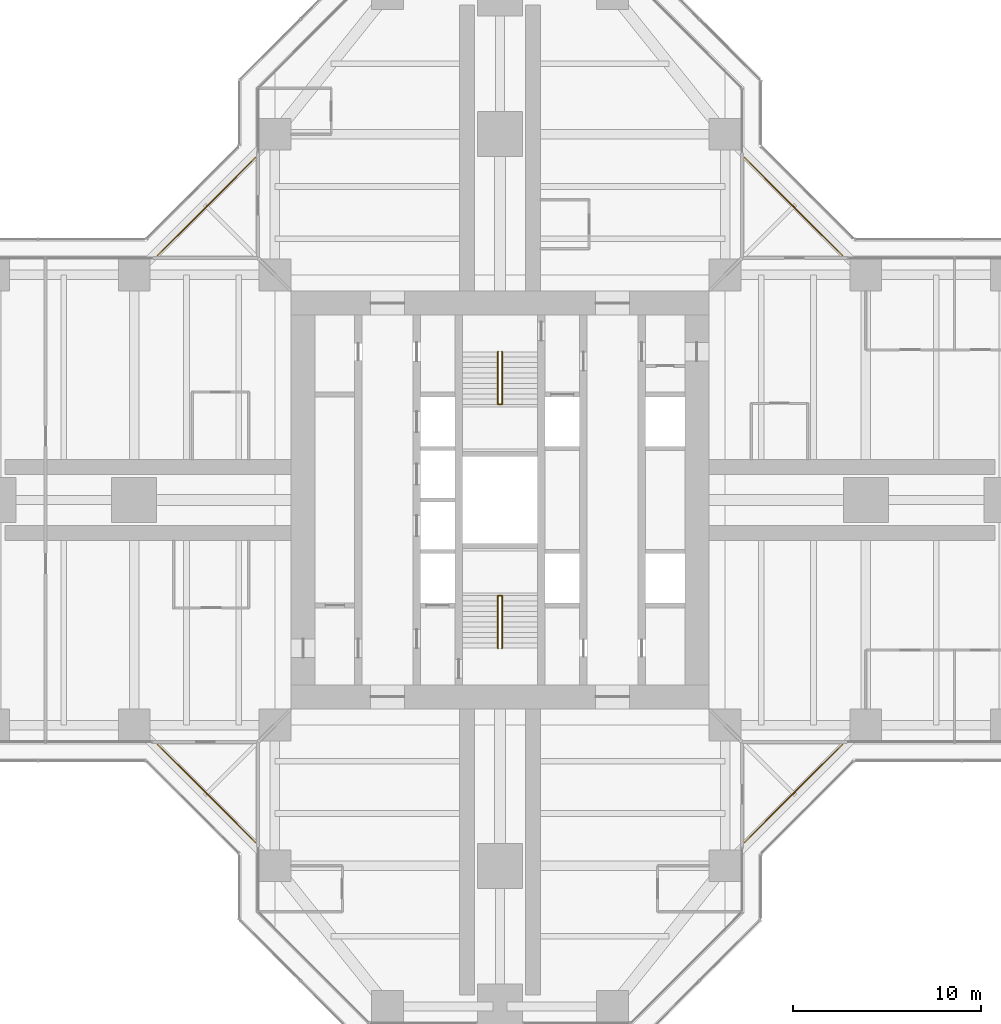
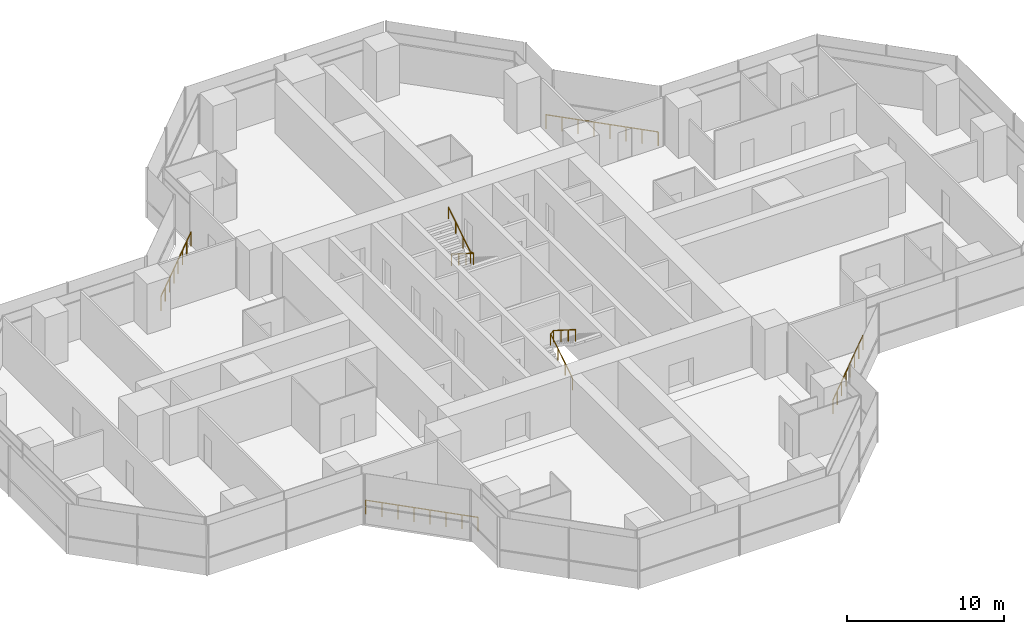
# One storey, part 20 of 20: 6 railings.
"""IFC4 building model written with IfcOpenShell, lengths in metres."""

from ifc_helpers import new_model, si_unit, direction, frame, origin, origin_2d, place, context, subcontext, project, spatial, circle, extrude, material, type_object, element, save


model = new_model("IFC4")

# Units and contexts
model_context = context("Model", 3, precision=1e-05, world=origin(), true_north=direction((0.0, 1.0)))
body_context = subcontext(model_context, "Body", "Model", "MODEL_VIEW")
ifc_project = project(units=[si_unit("LENGTHUNIT", "METRE"), si_unit("AREAUNIT", "SQUARE_METRE"), si_unit("VOLUMEUNIT", "CUBIC_METRE"), si_unit("PLANEANGLEUNIT", "RADIAN"), si_unit("MASSUNIT", "GRAM", prefix="KILO")], contexts=[model_context])

# Site, building, storey
site_placement = place(None, origin())
site = spatial("IfcSite", under=ifc_project, at=site_placement, CompositionType="ELEMENT")
building_placement = place(site_placement, origin())
building = spatial("IfcBuilding", under=site, at=building_placement, Name="Mizan Broadcast Tower", CompositionType="ELEMENT")
storey_placement = place(building_placement, frame((0.0, 0.0, 151.5)))
storey = spatial("IfcBuildingStorey", under=building, at=storey_placement, Name="L34", CompositionType="ELEMENT", Elevation=151.5)

# Railings
ifc_material_1 = material(Name="Stainless steel and glass guard", Category="steel")
railing_type_1 = type_object("IfcRailingType", Name="GUARD 1100", PredefinedType="GUARDRAIL", material=ifc_material_1)
railing_1_placement = place(storey_placement, frame((18.2578125, 13.030029296875, 0.0)))
element("IfcRailing", 1, at=railing_1_placement, inside=storey, type_object=railing_type_1, Name="Winter garden guard L34 E", PredefinedType="GUARDRAIL", context=body_context, shape_type="SweptSolid", body=[
    extrude(circle(Radius=0.02392578125, at=origin_2d()), frame((0.0, 0.0, 1.076171875), z_axis=(-0.707106781187, 0.707106781187, 0.0), x_axis=(-0.707106781187, -0.707106781187, 0.0)), (0.0, 0.0, 1.0), 7.393310546875),
    extrude(circle(Radius=0.02099609375, at=origin_2d()), origin(), (0.0, 0.0, 1.0), 1.052001953125),
    extrude(circle(Radius=0.02099609375, at=origin_2d()), frame((-0.746826171875, 0.746826171875, 0.0)), (0.0, 0.0, 1.0), 1.052001953125),
    extrude(circle(Radius=0.02099609375, at=origin_2d()), frame((-1.49365234375, 1.49365234375, 0.0)), (0.0, 0.0, 1.0), 1.052001953125),
    extrude(circle(Radius=0.02099609375, at=origin_2d()), frame((-2.240478515625, 2.240478515625, 0.0)), (0.0, 0.0, 1.0), 1.052001953125),
    extrude(circle(Radius=0.02099609375, at=origin_2d()), frame((-2.9873046875, 2.9873046875, 0.0)), (0.0, 0.0, 1.0), 1.052001953125),
    extrude(circle(Radius=0.02099609375, at=origin_2d()), frame((-3.734130859375, 3.734130859375, 0.0)), (0.0, 0.0, 1.0), 1.052001953125),
    extrude(circle(Radius=0.02099609375, at=origin_2d()), frame((-4.48095703125, 4.48095703125, 0.0)), (0.0, 0.0, 1.0), 1.052001953125),
    extrude(circle(Radius=0.02099609375, at=origin_2d()), frame((-5.227783203125, 5.227783203125, 0.0)), (0.0, 0.0, 1.0), 1.052001953125),
])
railing_2_placement = place(storey_placement, frame((-13.030029296875, 18.2578125, 0.0)))
element("IfcRailing", 2, at=railing_2_placement, inside=storey, type_object=railing_type_1, Name="Winter garden guard L34 N", PredefinedType="GUARDRAIL", context=body_context, shape_type="SweptSolid", body=[
    extrude(circle(Radius=0.02392578125, at=origin_2d()), frame((0.0, 0.0, 1.076171875), z_axis=(-0.707106781187, -0.707106781187, 0.0), x_axis=(0.707106781187, -0.707106781187, 0.0)), (0.0, 0.0, 1.0), 7.393310546875),
    extrude(circle(Radius=0.02099609375, at=origin_2d()), origin(), (0.0, 0.0, 1.0), 1.052001953125),
    extrude(circle(Radius=0.02099609375, at=origin_2d()), frame((-0.746826171875, -0.746826171875, 0.0)), (0.0, 0.0, 1.0), 1.052001953125),
    extrude(circle(Radius=0.02099609375, at=origin_2d()), frame((-1.49365234375, -1.49365234375, 0.0)), (0.0, 0.0, 1.0), 1.052001953125),
    extrude(circle(Radius=0.02099609375, at=origin_2d()), frame((-2.240478515625, -2.240478515625, 0.0)), (0.0, 0.0, 1.0), 1.052001953125),
    extrude(circle(Radius=0.02099609375, at=origin_2d()), frame((-2.9873046875, -2.9873046875, 0.0)), (0.0, 0.0, 1.0), 1.052001953125),
    extrude(circle(Radius=0.02099609375, at=origin_2d()), frame((-3.734130859375, -3.734130859375, 0.0)), (0.0, 0.0, 1.0), 1.052001953125),
    extrude(circle(Radius=0.02099609375, at=origin_2d()), frame((-4.48095703125, -4.48095703125, 0.0)), (0.0, 0.0, 1.0), 1.052001953125),
    extrude(circle(Radius=0.02099609375, at=origin_2d()), frame((-5.227783203125, -5.227783203125, 0.0)), (0.0, 0.0, 1.0), 1.052001953125),
])
railing_3_placement = place(storey_placement, frame((-18.2578125, -13.030029296875, 0.0)))
element("IfcRailing", 3, at=railing_3_placement, inside=storey, type_object=railing_type_1, Name="Winter garden guard L34 W", PredefinedType="GUARDRAIL", context=body_context, shape_type="SweptSolid", body=[
    extrude(circle(Radius=0.02392578125, at=origin_2d()), frame((0.0, 0.0, 1.076171875), z_axis=(0.707106781187, -0.707106781187, 0.0), x_axis=(0.707106781187, 0.707106781187, 0.0)), (0.0, 0.0, 1.0), 7.393310546875),
    extrude(circle(Radius=0.02099609375, at=origin_2d()), origin(), (0.0, 0.0, 1.0), 1.052001953125),
    extrude(circle(Radius=0.02099609375, at=origin_2d()), frame((0.746826171875, -0.746826171875, 0.0)), (0.0, 0.0, 1.0), 1.052001953125),
    extrude(circle(Radius=0.02099609375, at=origin_2d()), frame((1.49365234375, -1.49365234375, 0.0)), (0.0, 0.0, 1.0), 1.052001953125),
    extrude(circle(Radius=0.02099609375, at=origin_2d()), frame((2.240478515625, -2.240478515625, 0.0)), (0.0, 0.0, 1.0), 1.052001953125),
    extrude(circle(Radius=0.02099609375, at=origin_2d()), frame((2.9873046875, -2.9873046875, 0.0)), (0.0, 0.0, 1.0), 1.052001953125),
    extrude(circle(Radius=0.02099609375, at=origin_2d()), frame((3.734130859375, -3.734130859375, 0.0)), (0.0, 0.0, 1.0), 1.052001953125),
    extrude(circle(Radius=0.02099609375, at=origin_2d()), frame((4.48095703125, -4.48095703125, 0.0)), (0.0, 0.0, 1.0), 1.052001953125),
    extrude(circle(Radius=0.02099609375, at=origin_2d()), frame((5.227783203125, -5.227783203125, 0.0)), (0.0, 0.0, 1.0), 1.052001953125),
])
railing_4_placement = place(storey_placement, frame((13.030029296875, -18.2578125, 0.0)))
element("IfcRailing", 4, at=railing_4_placement, inside=storey, type_object=railing_type_1, Name="Winter garden guard L34 S", PredefinedType="GUARDRAIL", context=body_context, shape_type="SweptSolid", body=[
    extrude(circle(Radius=0.02392578125, at=origin_2d()), frame((0.0, 0.0, 1.076171875), z_axis=(0.707106781187, 0.707106781187, 0.0), x_axis=(-0.707106781187, 0.707106781187, 0.0)), (0.0, 0.0, 1.0), 7.393310546875),
    extrude(circle(Radius=0.02099609375, at=origin_2d()), origin(), (0.0, 0.0, 1.0), 1.052001953125),
    extrude(circle(Radius=0.02099609375, at=origin_2d()), frame((0.746826171875, 0.746826171875, 0.0)), (0.0, 0.0, 1.0), 1.052001953125),
    extrude(circle(Radius=0.02099609375, at=origin_2d()), frame((1.49365234375, 1.49365234375, 0.0)), (0.0, 0.0, 1.0), 1.052001953125),
    extrude(circle(Radius=0.02099609375, at=origin_2d()), frame((2.240478515625, 2.240478515625, 0.0)), (0.0, 0.0, 1.0), 1.052001953125),
    extrude(circle(Radius=0.02099609375, at=origin_2d()), frame((2.9873046875, 2.9873046875, 0.0)), (0.0, 0.0, 1.0), 1.052001953125),
    extrude(circle(Radius=0.02099609375, at=origin_2d()), frame((3.734130859375, 3.734130859375, 0.0)), (0.0, 0.0, 1.0), 1.052001953125),
    extrude(circle(Radius=0.02099609375, at=origin_2d()), frame((4.48095703125, 4.48095703125, 0.0)), (0.0, 0.0, 1.0), 1.052001953125),
    extrude(circle(Radius=0.02099609375, at=origin_2d()), frame((5.227783203125, 5.227783203125, 0.0)), (0.0, 0.0, 1.0), 1.052001953125),
])
ifc_material_2 = material(Name="Stainless steel", Category="steel")
railing_type_2 = type_object("IfcRailingType", Name="HANDRAIL 50", PredefinedType="HANDRAIL", material=ifc_material_2)
railing_5_placement = place(storey_placement, frame((-0.110107421875, -7.89990234375, 0.17724609375)))
element("IfcRailing", 5, at=railing_5_placement, inside=storey, type_object=railing_type_2, Name="Stair A handrail", PredefinedType="HANDRAIL", context=body_context, shape_type="SweptSolid", body=[
    extrude(circle(Radius=0.02392578125, at=origin_2d()), frame((0.0, 0.0, 0.8759765625), z_axis=(0.0, 0.844887892834, 0.53494340686), x_axis=(-1.0, 0.0, 0.0)), (0.0, 0.0, 1.0), 3.313720703125),
    extrude(circle(Radius=0.02392578125, at=origin_2d()), frame((0.0, 2.7998046875, 2.6484375), z_axis=(0.779011685263, 0.0, 0.627009405212), x_axis=(0.0, 1.0, 0.0)), (0.0, 0.0, 1.0), 0.28271484375),
    extrude(circle(Radius=0.02392578125, at=origin_2d()), frame((0.22021484375, 2.7998046875, 2.82568359375), z_axis=(0.0, -0.844887892834, 0.53494340686), x_axis=(1.0, 0.0, 0.0)), (0.0, 0.0, 1.0), 3.313720703125),
    extrude(circle(Radius=0.02099609375, at=origin_2d()), origin(), (0.0, 0.0, 1.0), 0.851806640625),
    extrude(circle(Radius=0.02099609375, at=origin_2d()), frame((0.0, 0.933349609375, 0.5908203125)), (0.0, 0.0, 1.0), 0.851806640625),
    extrude(circle(Radius=0.02099609375, at=origin_2d()), frame((0.0, 1.866455078125, 1.181884765625)), (0.0, 0.0, 1.0), 0.851806640625),
    extrude(circle(Radius=0.02099609375, at=origin_2d()), frame((0.0, 2.7998046875, 1.772705078125)), (0.0, 0.0, 1.0), 0.851806640625),
    extrude(circle(Radius=0.02099609375, at=origin_2d()), frame((0.22021484375, 2.7998046875, 1.949951171875)), (0.0, 0.0, 1.0), 0.851806640625),
    extrude(circle(Radius=0.02099609375, at=origin_2d()), frame((0.22021484375, 1.866455078125, 2.540771484375)), (0.0, 0.0, 1.0), 0.851806640625),
    extrude(circle(Radius=0.02099609375, at=origin_2d()), frame((0.22021484375, 0.933349609375, 3.1318359375)), (0.0, 0.0, 1.0), 0.851806640625),
    extrude(circle(Radius=0.02099609375, at=origin_2d()), frame((0.22021484375, 0.0, 3.72265625)), (0.0, 0.0, 1.0), 0.851806640625),
])
railing_6_placement = place(storey_placement, frame((0.110107421875, 7.89990234375, 0.17724609375)))
element("IfcRailing", 6, at=railing_6_placement, inside=storey, type_object=railing_type_2, Name="Stair B handrail", PredefinedType="HANDRAIL", context=body_context, shape_type="SweptSolid", body=[
    extrude(circle(Radius=0.02392578125, at=origin_2d()), frame((0.0, 0.0, 0.8759765625), z_axis=(0.0, -0.844887892834, 0.53494340686), x_axis=(1.0, 0.0, 0.0)), (0.0, 0.0, 1.0), 3.313720703125),
    extrude(circle(Radius=0.02392578125, at=origin_2d()), frame((0.0, -2.7998046875, 2.6484375), z_axis=(-0.779011685263, 0.0, 0.627009405212), x_axis=(0.0, -1.0, 0.0)), (0.0, 0.0, 1.0), 0.28271484375),
    extrude(circle(Radius=0.02392578125, at=origin_2d()), frame((-0.22021484375, -2.7998046875, 2.82568359375), z_axis=(0.0, 0.844887892834, 0.53494340686), x_axis=(-1.0, 0.0, 0.0)), (0.0, 0.0, 1.0), 3.313720703125),
    extrude(circle(Radius=0.02099609375, at=origin_2d()), origin(), (0.0, 0.0, 1.0), 0.851806640625),
    extrude(circle(Radius=0.02099609375, at=origin_2d()), frame((0.0, -0.933349609375, 0.5908203125)), (0.0, 0.0, 1.0), 0.851806640625),
    extrude(circle(Radius=0.02099609375, at=origin_2d()), frame((0.0, -1.866455078125, 1.181884765625)), (0.0, 0.0, 1.0), 0.851806640625),
    extrude(circle(Radius=0.02099609375, at=origin_2d()), frame((0.0, -2.7998046875, 1.772705078125)), (0.0, 0.0, 1.0), 0.851806640625),
    extrude(circle(Radius=0.02099609375, at=origin_2d()), frame((-0.22021484375, -2.7998046875, 1.949951171875)), (0.0, 0.0, 1.0), 0.851806640625),
    extrude(circle(Radius=0.02099609375, at=origin_2d()), frame((-0.22021484375, -1.866455078125, 2.540771484375)), (0.0, 0.0, 1.0), 0.851806640625),
    extrude(circle(Radius=0.02099609375, at=origin_2d()), frame((-0.22021484375, -0.933349609375, 3.1318359375)), (0.0, 0.0, 1.0), 0.851806640625),
    extrude(circle(Radius=0.02099609375, at=origin_2d()), frame((-0.22021484375, 0.0, 3.72265625)), (0.0, 0.0, 1.0), 0.851806640625),
])

save(model, "model.ifc")
